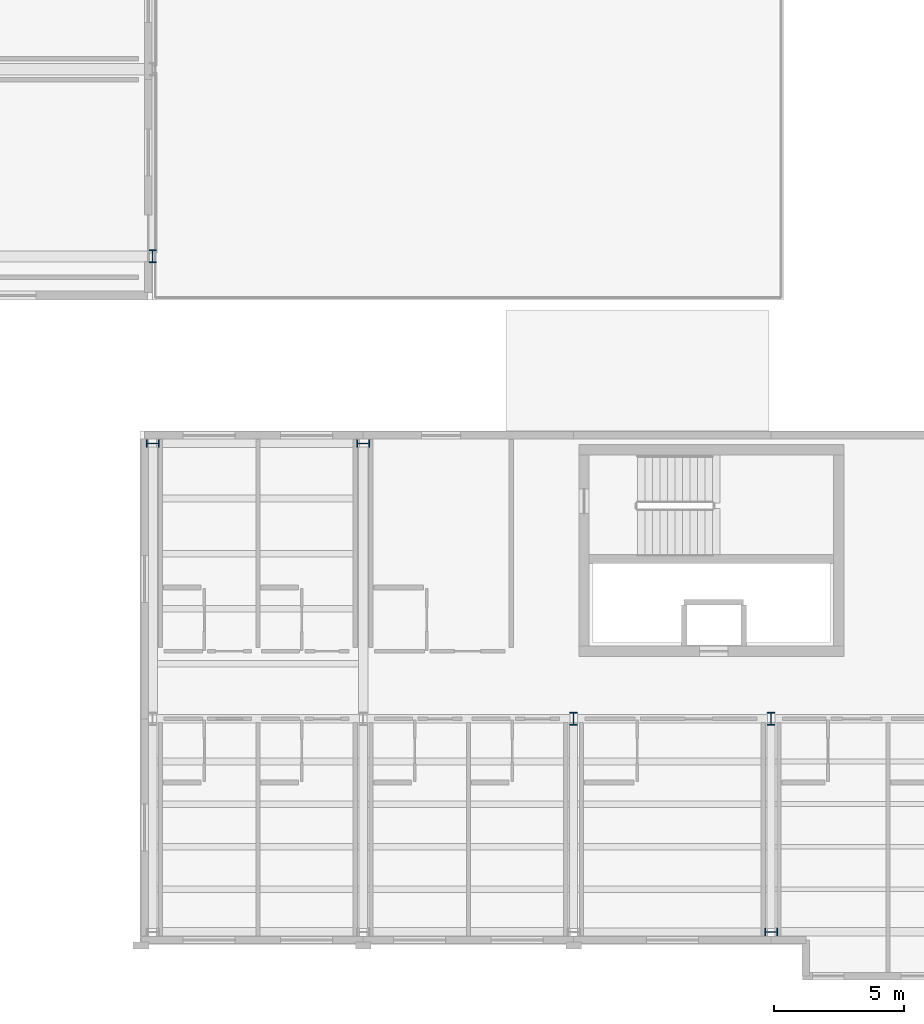
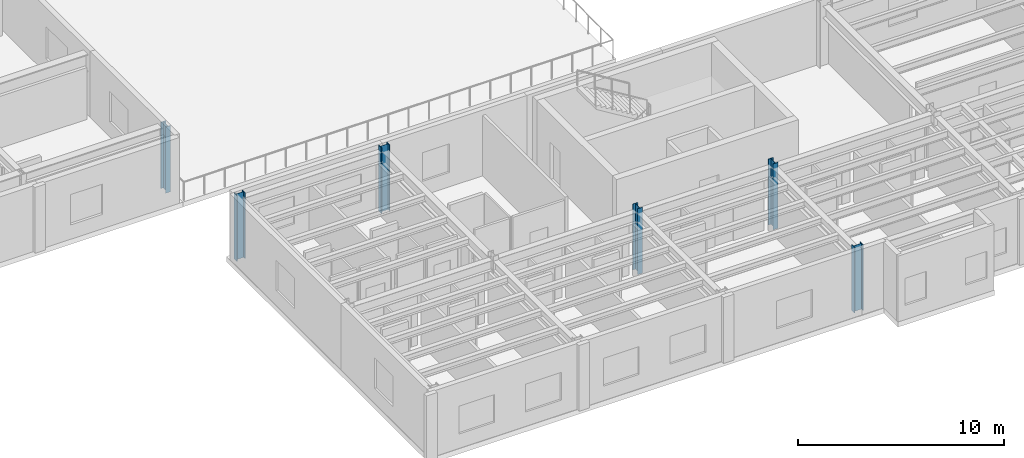
# One storey, part 2 of 59: 6 columns.
"""IFC4 building model written with IfcOpenShell, lengths in metres."""

import ifcopenshell
import ifcopenshell.guid

model = None  # the IFC model being written
_history = None  # IfcOwnerHistory: only IFC2X3 demands one
_inside = {}  # id of a spatial element -> (the spatial element, [elements in it])
_under = {}  # id of a project, library or spatial element -> (it, [spatial elements below it])
_declared = {}  # id of a project -> (the project, [libraries it declares])
_typed = {}  # id of a type object -> (the type object, [elements of that type])
_made_of = {}  # id of a material, layer set ... -> (it, [elements and type objects made of it])


def new_model(schema):
    """Start an empty IFC model of exactly this schema.

    Asked for "IFC4X3", IfcOpenShell would pick the latest addendum, in which some entities
    have other attributes; the version numbers below select the first issue.
    IFC2X3 requires an IfcOwnerHistory on every rooted entity: one is made here for all.
    """
    global model, _history
    if schema == "IFC4X3":
        model = ifcopenshell.file(schema_version=(4, 3, 0, 0))
    else:
        model = ifcopenshell.file(schema=schema)
    _inside.clear()
    _under.clear()
    _declared.clear()
    _typed.clear()
    _made_of.clear()
    _history = None
    if model.schema == "IFC2X3":
        org = make("IfcOrganization", Name="unknown")
        user = make(
            "IfcPersonAndOrganization",
            ThePerson=make("IfcPerson", FamilyName="unknown"),
            TheOrganization=org,
        )
        app = make(
            "IfcApplication",
            ApplicationDeveloper=org,
            Version="unknown",
            ApplicationFullName="unknown",
            ApplicationIdentifier="unknown",
        )
        _history = make(
            "IfcOwnerHistory",
            OwningUser=user,
            OwningApplication=app,
            ChangeAction="ADDED",
            CreationDate=0,
        )
    return model


def make(cls, **values):
    """One entity of the class cls with the attributes given. An attribute that is None is left unset."""
    return model.create_entity(
        cls, **{name: value for name, value in values.items() if value is not None}
    )


def rooted(cls, **values):
    """An entity with a GlobalId (a new one), such as an element, a storey or a relation."""
    return make(cls, GlobalId=ifcopenshell.guid.new(), OwnerHistory=_history, **values)


def si_unit(unit_type, name, prefix=None):
    """IfcSIUnit, for example si_unit("LENGTHUNIT", "METRE", prefix="MILLI")."""
    return make("IfcSIUnit", UnitType=unit_type, Prefix=prefix, Name=name)


def assignment(units):
    """IfcUnitAssignment: the units of a project."""
    return None if units is None else make("IfcUnitAssignment", Units=units)


def point(xyz):
    """IfcCartesianPoint."""
    return None if xyz is None else make("IfcCartesianPoint", Coordinates=xyz)


def direction(xyz):
    """IfcDirection."""
    return None if xyz is None else make("IfcDirection", DirectionRatios=xyz)


def frame(location, z_axis=None, x_axis=None):
    """IfcAxis2Placement3D, a coordinate frame: its origin and axes. An axis left out is left unset."""
    return make(
        "IfcAxis2Placement3D",
        Location=point(location),
        Axis=direction(z_axis),
        RefDirection=direction(x_axis),
    )


def frame_2d(location, x_axis=None):
    """IfcAxis2Placement2D, a coordinate frame in the plane: its origin and x axis."""
    return make(
        "IfcAxis2Placement2D", Location=point(location), RefDirection=direction(x_axis)
    )


def origin():
    """The frame at (0, 0, 0) with its axes left unset."""
    return frame((0.0, 0.0, 0.0))


def origin_2d():
    """The frame at (0, 0) in the plane with its x axis left unset."""
    return frame_2d((0.0, 0.0))


def place(relative_to, where):
    """IfcLocalPlacement: puts the frame where relative to a parent placement (None: the world)."""
    return make(
        "IfcLocalPlacement", PlacementRelTo=relative_to, RelativePlacement=where
    )


def context(
    kind, dimensions, precision=None, world=None, true_north=None, identifier=None
):
    """IfcGeometricRepresentationContext, for example the 3D "Model" context."""
    return make(
        "IfcGeometricRepresentationContext",
        ContextIdentifier=identifier,
        ContextType=kind,
        CoordinateSpaceDimension=dimensions,
        Precision=precision,
        WorldCoordinateSystem=world,
        TrueNorth=true_north,
    )


def subcontext(parent, identifier, kind, view, scale=None):
    """IfcGeometricRepresentationSubContext, for example "Body" below "Model"."""
    return make(
        "IfcGeometricRepresentationSubContext",
        ContextIdentifier=identifier,
        ContextType=kind,
        ParentContext=parent,
        TargetScale=scale,
        TargetView=view,
    )


def project(units=None, contexts=None):
    """IfcProject with its units and contexts."""
    return rooted(
        "IfcProject",
        Name="project",
        RepresentationContexts=contexts,
        UnitsInContext=assignment(units),
    )


def spatial(cls, under=None, at=None, **own):
    """A site, building, storey or space (cls), placed at a placement, below another one or the project."""
    s = rooted(cls, ObjectPlacement=at, **own)
    if under is not None:
        _under.setdefault(under.id(), (under, []))[1].append(s)
    return s


def profile(cls, at=None, kind="AREA", **sizes):
    """A parametric profile (cls). Its sizes go by their IFC names, for example OverallWidth=200.0."""
    return make(cls, ProfileType=kind, Position=at, **sizes)


def i_section(**sizes):
    """IfcIShapeProfileDef."""
    return profile("IfcIShapeProfileDef", **sizes)


def extrude(swept, where, along, depth):
    """IfcExtrudedAreaSolid: the profile swept, set in the frame where, extruded along a direction by depth."""
    return make(
        "IfcExtrudedAreaSolid",
        SweptArea=swept,
        Position=where,
        ExtrudedDirection=direction(along),
        Depth=depth,
    )


def shape(context_of_items, identifier, shape_type, items):
    """IfcShapeRepresentation: the items that make up one representation, for example the "Body"."""
    return make(
        "IfcShapeRepresentation",
        ContextOfItems=context_of_items,
        RepresentationIdentifier=identifier,
        RepresentationType=shape_type,
        Items=items,
    )


def material(Name=None, Category=None):
    """IfcMaterial."""
    return make("IfcMaterial", Name=Name, Category=Category)


def material_profile(
    of_material, cross_section, Name=None, Category=None, Priority=None
):
    """IfcMaterialProfile: a cross section and its material."""
    return make(
        "IfcMaterialProfile",
        Name=Name,
        Material=of_material,
        Profile=cross_section,
        Priority=Priority,
        Category=Category,
    )


def profile_set(profiles, Name=None, composite=None):
    """IfcMaterialProfileSet."""
    return make(
        "IfcMaterialProfileSet",
        Name=Name,
        MaterialProfiles=profiles,
        CompositeProfile=composite,
    )


def made_of(thing, what):
    """Note that an element or type object is made of a material, layer set ...; save() writes the relation."""
    if what is not None:
        _made_of.setdefault(what.id(), (what, []))[1].append(thing)
    return thing


def type_object(cls, material=None, **own):
    """A type object (cls), such as IfcWallType, which elements share."""
    return made_of(rooted(cls, **own), material)


def element(
    cls,
    number,
    at=None,
    inside=None,
    cuts=None,
    type_object=None,
    material=None,
    context=None,
    identifier="Body",
    shape_type=None,
    held_by="IfcProductDefinitionShape",
    body=None,
    shapes=None,
    **own,
):
    """One element of the class cls, such as IfcWall. Its Tag is "e" and its number.

    at: its placement. inside: the storey or other place that contains it. cuts: it is an
    opening in that element (IfcRelVoidsElement). A single representation is given by context,
    identifier, shape_type and body (its items); several are given by shapes. held_by: the class
    of the entity that holds the representations. save() writes the other relations.
    """
    e = rooted(cls, Tag="e%d" % number, ObjectPlacement=at, **own)
    if body is not None:
        shapes = [shape(context, identifier, shape_type, body)]
    if shapes is not None:
        e.Representation = make(held_by, Representations=shapes)
    if inside is not None:
        _inside.setdefault(inside.id(), (inside, []))[1].append(e)
    if cuts is not None:
        rooted(
            "IfcRelVoidsElement", RelatingBuildingElement=cuts, RelatedOpeningElement=e
        )
    if type_object is not None:
        _typed.setdefault(type_object.id(), (type_object, []))[1].append(e)
    return made_of(e, material)


def aggregate(whole, parts):
    """IfcRelAggregates: a whole, such as a stair, and the parts it consists of."""
    return rooted("IfcRelAggregates", RelatingObject=whole, RelatedObjects=parts)


def save(model, path):
    """Write the relations noted so far, then the file.

    IfcRelAggregates (storeys below a building ...), IfcRelContainedInSpatialStructure (elements
    in a storey), IfcRelDefinesByType, IfcRelAssociatesMaterial and IfcRelDeclares: one each for
    every whole, place, type object, material and project.
    """
    for whole, parts in _under.values():
        aggregate(whole, parts)
    for where, things in _inside.values():
        rooted(
            "IfcRelContainedInSpatialStructure",
            RelatedElements=things,
            RelatingStructure=where,
        )
    for kind, things in _typed.values():
        rooted("IfcRelDefinesByType", RelatedObjects=things, RelatingType=kind)
    for what, things in _made_of.values():
        rooted("IfcRelAssociatesMaterial", RelatedObjects=things, RelatingMaterial=what)
    for by, libraries in _declared.values():
        rooted("IfcRelDeclares", RelatingContext=by, RelatedDefinitions=libraries)
    model.write(path)


model = new_model("IFC4")

# Units and contexts
model_context = context("Model", 3, precision=1e-05, world=origin(), true_north=direction((0.0, 1.0)))
body_context = subcontext(model_context, "Body", "Model", "MODEL_VIEW")
ifc_project = project(units=[si_unit("LENGTHUNIT", "METRE"), si_unit("AREAUNIT", "SQUARE_METRE"), si_unit("VOLUMEUNIT", "CUBIC_METRE"), si_unit("PLANEANGLEUNIT", "RADIAN"), si_unit("MASSUNIT", "GRAM", prefix="KILO")], contexts=[model_context])

# Site, building, storey
site_placement = place(None, origin())
site = spatial("IfcSite", under=ifc_project, at=site_placement, CompositionType="ELEMENT")
building_placement = place(site_placement, origin())
building = spatial("IfcBuilding", under=site, at=building_placement, Name="Sollismere Congress Hotel", CompositionType="ELEMENT")
storey_placement = place(building_placement, frame((0.0, 0.0, 15.60009765625)))
storey = spatial("IfcBuildingStorey", under=building, at=storey_placement, Name="L03", CompositionType="ELEMENT", Elevation=15.60009765625)

# Columns
ifc_material = material(Name="Steel ASTM A992 Grade 50", Category="steel")
ifc_material_profile = material_profile(ifc_material, i_section(OverallWidth=0.283935546875, OverallDepth=0.4951171875, WebThickness=0.0185546875, FlangeThickness=0.033447265625, at=origin_2d()), Name="W18X143")
ifc_profile_set = profile_set([ifc_material_profile], Name="Steel ASTM A992 Grade 50")
column_type = type_object("IfcColumnType", Name="COL-W18", PredefinedType="COLUMN", material=ifc_profile_set)
for number, where, z_axis, x_axis, name in (
    (1, (34.199951171875, 18.800048828125, 0.0), (0.0, 0.0, 1.0), (0.0, 1.0, 0.0), "Column CL-L03-135"),
    (2, (42.300048828125, 18.800048828125, 0.0), (0.0, 0.0, 1.0), (0.0, 1.0, 0.0), "Column CL-L03-170"),
    (3, (50.39990234375, 8.199951171875, 0.0), (0.0, 0.0, 1.0), (1.0, 0.0, 0.0), "Column CL-L03-197"),
    (4, (58.0, 0.0, 0.0), (0.0, 0.0, 1.0), (0.0, 1.0, 0.0), "Column CL-L03-232"),
    (5, (58.0, 8.199951171875, 0.0), (0.0, 0.0, 1.0), (1.0, 0.0, 0.0), "Column CL-L03-240"),
):
    element("IfcColumn", number, at=place(storey_placement, frame(where, z_axis=z_axis, x_axis=x_axis)), inside=storey, type_object=column_type, Name=name, PredefinedType="COLUMN", context=body_context, shape_type="SweptSolid", body=[
        extrude(i_section(OverallWidth=0.283935546875, OverallDepth=0.4951171875, WebThickness=0.0185546875, FlangeThickness=0.033447265625, at=origin_2d()), origin(), (0.0, 0.0, 1.0), 3.89990234375),
    ])
column_placement = place(storey_placement, frame((34.199951171875, 26.0, -0.300048828125), z_axis=(0.0, 0.0, 1.0), x_axis=(1.0, 0.0, 0.0)))
element("IfcColumn", 6, at=column_placement, inside=storey, type_object=column_type, Name="COL-V3P-14", PredefinedType="COLUMN", context=body_context, shape_type="SweptSolid", body=[
    extrude(i_section(OverallWidth=0.283935546875, OverallDepth=0.4951171875, WebThickness=0.0185546875, FlangeThickness=0.033447265625, at=origin_2d()), origin(), (0.0, 0.0, 1.0), 3.925048828125),
])

save(model, "model.ifc")
